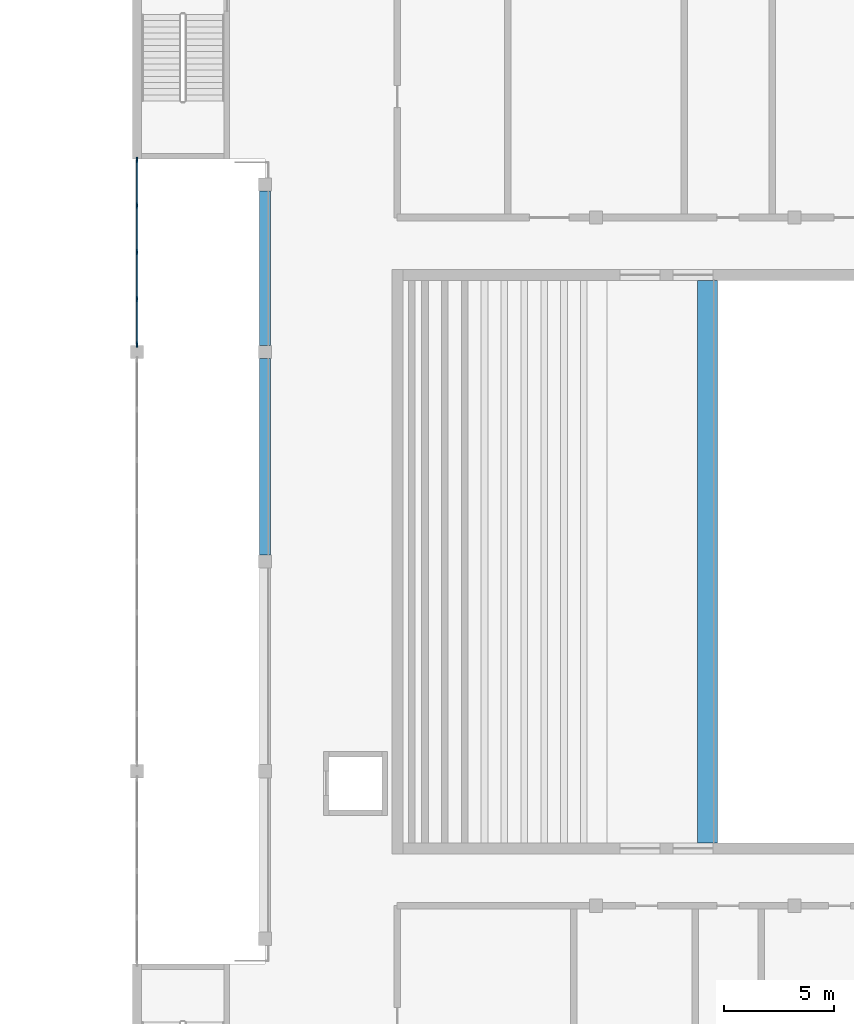
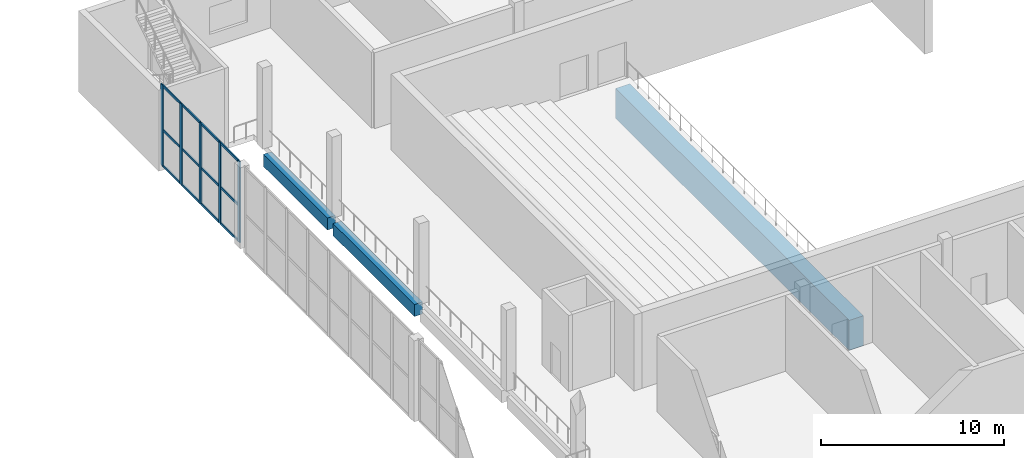
# One storey, part 9 of 44: 17 members, 3 beams, 1 element without a shape of its own.
"""IFC4 building model written with IfcOpenShell, lengths in metres."""

from ifc_helpers import new_model, si_unit, direction, frame, origin, origin_2d, place, context, subcontext, project, spatial, rectangle, extrude, material, material_profile, profile_set, type_object, element, aggregate, save


model = new_model("IFC4")

# Units and contexts
model_context = context("Model", 3, precision=1e-05, world=origin(), true_north=direction((0.0, 1.0)))
body_context = subcontext(model_context, "Body", "Model", "MODEL_VIEW")
ifc_project = project(units=[si_unit("LENGTHUNIT", "METRE"), si_unit("AREAUNIT", "SQUARE_METRE"), si_unit("VOLUMEUNIT", "CUBIC_METRE"), si_unit("PLANEANGLEUNIT", "RADIAN"), si_unit("MASSUNIT", "GRAM", prefix="KILO")], contexts=[model_context])

# Site, building, storey
site_placement = place(None, origin())
site = spatial("IfcSite", under=ifc_project, at=site_placement, CompositionType="ELEMENT")
building_placement = place(site_placement, origin())
building = spatial("IfcBuilding", under=site, at=building_placement, Name="Hunhe Ridgeline Campus", CompositionType="ELEMENT")
storey_placement = place(building_placement, frame((0.0, 0.0, 6.0)))
storey = spatial("IfcBuildingStorey", under=building, at=storey_placement, Name="L01", CompositionType="ELEMENT", Elevation=6.0)

# Curtain wall, members
ifc_material_1 = material(Name="Aluminium and glass", Category="aluminium")
curtain_wall_type = type_object("IfcCurtainWallType", Name="Hall foyer curtain wall CW-H", PredefinedType="NOTDEFINED", material=ifc_material_1)
curtain_wall_placement = place(storey_placement, origin())
curtain_wall = element("IfcCurtainWall", 1, at=curtain_wall_placement, inside=storey, type_object=curtain_wall_type, Name="L01 foyer curtain wall 5", PredefinedType="NOTDEFINED")
ifc_material_2 = material(Name="Aluminium", Category="aluminium")
ifc_material_profile_1 = material_profile(ifc_material_2, rectangle(XDim=0.080078125, YDim=0.25, at=origin_2d()))
ifc_profile_set_1 = profile_set([ifc_material_profile_1], Name="Aluminium")
member_type_1 = type_object("IfcMemberType", Name="CW-H mullion 80x250", PredefinedType="MULLION", material=ifc_profile_set_1)
member_1_placement = place(storey_placement, frame((150.199951171875, 59.340087890625, 0.0), z_axis=(0.0, 0.0, 1.0), x_axis=(-1.0, 0.0, 0.0)))
member_1 = element("IfcMember", 2, at=member_1_placement, type_object=member_type_1, Name="HCW1 mullion 1", PredefinedType="MULLION", context=body_context, shape_type="SweptSolid", body=[
    extrude(rectangle(XDim=0.080078125, YDim=0.25, at=origin_2d()), origin(), (0.0, 0.0, 1.0), 5.39990234375),
])
member_2_placement = place(storey_placement, frame((150.199951171875, 61.41259765625, 0.0), z_axis=(0.0, 0.0, 1.0), x_axis=(-1.0, 0.0, 0.0)))
member_2 = element("IfcMember", 3, at=member_2_placement, type_object=member_type_1, Name="HCW1 mullion 2", PredefinedType="MULLION", context=body_context, shape_type="SweptSolid", body=[
    extrude(rectangle(XDim=0.080078125, YDim=0.25, at=origin_2d()), origin(), (0.0, 0.0, 1.0), 5.39990234375),
])
member_3_placement = place(storey_placement, frame((150.199951171875, 63.52490234375, 0.0), z_axis=(0.0, 0.0, 1.0), x_axis=(-1.0, 0.0, 0.0)))
member_3 = element("IfcMember", 4, at=member_3_placement, type_object=member_type_1, Name="HCW1 mullion 3", PredefinedType="MULLION", context=body_context, shape_type="SweptSolid", body=[
    extrude(rectangle(XDim=0.080078125, YDim=0.25, at=origin_2d()), origin(), (0.0, 0.0, 1.0), 5.39990234375),
])
member_4_placement = place(storey_placement, frame((150.199951171875, 65.637451171875, 0.0), z_axis=(0.0, 0.0, 1.0), x_axis=(-1.0, 0.0, 0.0)))
member_4 = element("IfcMember", 5, at=member_4_placement, type_object=member_type_1, Name="HCW1 mullion 4", PredefinedType="MULLION", context=body_context, shape_type="SweptSolid", body=[
    extrude(rectangle(XDim=0.080078125, YDim=0.25, at=origin_2d()), origin(), (0.0, 0.0, 1.0), 5.39990234375),
])
member_5_placement = place(storey_placement, frame((150.199951171875, 67.7099609375, 0.0), z_axis=(0.0, 0.0, 1.0), x_axis=(-1.0, 0.0, 0.0)))
member_5 = element("IfcMember", 6, at=member_5_placement, type_object=member_type_1, Name="HCW1 mullion 5", PredefinedType="MULLION", context=body_context, shape_type="SweptSolid", body=[
    extrude(rectangle(XDim=0.080078125, YDim=0.25, at=origin_2d()), origin(), (0.0, 0.0, 1.0), 5.39990234375),
])
ifc_material_profile_2 = material_profile(ifc_material_2, rectangle(XDim=0.080078125, YDim=0.14990234375, at=origin_2d()))
ifc_profile_set_2 = profile_set([ifc_material_profile_2], Name="Aluminium")
member_type_2 = type_object("IfcMemberType", Name="CW-H transom 80x150", PredefinedType="USERDEFINED", material=ifc_profile_set_2)
member_6_placement = place(storey_placement, frame((150.199951171875, 59.3798828125, 0.0400390625), z_axis=(0.0, 1.0, 0.0), x_axis=(-1.0, 0.0, 0.0)))
member_6 = element("IfcMember", 7, at=member_6_placement, type_object=member_type_2, Name="HCW1 transom 1.1", ObjectType="TRANSOM", PredefinedType="USERDEFINED", context=body_context, shape_type="SweptSolid", body=[
    extrude(rectangle(XDim=0.080078125, YDim=0.14990234375, at=origin_2d()), origin(), (0.0, 0.0, 1.0), 1.99267578125),
])
member_7_placement = place(storey_placement, frame((150.199951171875, 59.3798828125, 2.429931640625), z_axis=(0.0, 1.0, 0.0), x_axis=(-1.0, 0.0, 0.0)))
member_7 = element("IfcMember", 8, at=member_7_placement, type_object=member_type_2, Name="HCW1 transom 1.2", ObjectType="TRANSOM", PredefinedType="USERDEFINED", context=body_context, shape_type="SweptSolid", body=[
    extrude(rectangle(XDim=0.080078125, YDim=0.14990234375, at=origin_2d()), origin(), (0.0, 0.0, 1.0), 1.99267578125),
])
member_8_placement = place(storey_placement, frame((150.199951171875, 59.3798828125, 5.360107421875), z_axis=(0.0, 1.0, 0.0), x_axis=(-1.0, 0.0, 0.0)))
member_8 = element("IfcMember", 9, at=member_8_placement, type_object=member_type_2, Name="HCW1 transom 1.3", ObjectType="TRANSOM", PredefinedType="USERDEFINED", context=body_context, shape_type="SweptSolid", body=[
    extrude(rectangle(XDim=0.080078125, YDim=0.14990234375, at=origin_2d()), origin(), (0.0, 0.0, 1.0), 1.99267578125),
])
member_9_placement = place(storey_placement, frame((150.199951171875, 61.452392578125, 0.0400390625), z_axis=(0.0, 1.0, 0.0), x_axis=(-1.0, 0.0, 0.0)))
member_9 = element("IfcMember", 10, at=member_9_placement, type_object=member_type_2, Name="HCW1 transom 2.1", ObjectType="TRANSOM", PredefinedType="USERDEFINED", context=body_context, shape_type="SweptSolid", body=[
    extrude(rectangle(XDim=0.080078125, YDim=0.14990234375, at=origin_2d()), origin(), (0.0, 0.0, 1.0), 2.03271484375),
])
member_10_placement = place(storey_placement, frame((150.199951171875, 61.452392578125, 2.429931640625), z_axis=(0.0, 1.0, 0.0), x_axis=(-1.0, 0.0, 0.0)))
member_10 = element("IfcMember", 11, at=member_10_placement, type_object=member_type_2, Name="HCW1 transom 2.2", ObjectType="TRANSOM", PredefinedType="USERDEFINED", context=body_context, shape_type="SweptSolid", body=[
    extrude(rectangle(XDim=0.080078125, YDim=0.14990234375, at=origin_2d()), origin(), (0.0, 0.0, 1.0), 2.03271484375),
])
member_11_placement = place(storey_placement, frame((150.199951171875, 61.452392578125, 5.360107421875), z_axis=(0.0, 1.0, 0.0), x_axis=(-1.0, 0.0, 0.0)))
member_11 = element("IfcMember", 12, at=member_11_placement, type_object=member_type_2, Name="HCW1 transom 2.3", ObjectType="TRANSOM", PredefinedType="USERDEFINED", context=body_context, shape_type="SweptSolid", body=[
    extrude(rectangle(XDim=0.080078125, YDim=0.14990234375, at=origin_2d()), origin(), (0.0, 0.0, 1.0), 2.03271484375),
])
member_12_placement = place(storey_placement, frame((150.199951171875, 63.56494140625, 0.0400390625), z_axis=(0.0, 1.0, 0.0), x_axis=(-1.0, 0.0, 0.0)))
member_12 = element("IfcMember", 13, at=member_12_placement, type_object=member_type_2, Name="HCW1 transom 3.1", ObjectType="TRANSOM", PredefinedType="USERDEFINED", context=body_context, shape_type="SweptSolid", body=[
    extrude(rectangle(XDim=0.080078125, YDim=0.14990234375, at=origin_2d()), origin(), (0.0, 0.0, 1.0), 2.032470703125),
])
member_13_placement = place(storey_placement, frame((150.199951171875, 63.56494140625, 2.429931640625), z_axis=(0.0, 1.0, 0.0), x_axis=(-1.0, 0.0, 0.0)))
member_13 = element("IfcMember", 14, at=member_13_placement, type_object=member_type_2, Name="HCW1 transom 3.2", ObjectType="TRANSOM", PredefinedType="USERDEFINED", context=body_context, shape_type="SweptSolid", body=[
    extrude(rectangle(XDim=0.080078125, YDim=0.14990234375, at=origin_2d()), origin(), (0.0, 0.0, 1.0), 2.032470703125),
])
member_14_placement = place(storey_placement, frame((150.199951171875, 63.56494140625, 5.360107421875), z_axis=(0.0, 1.0, 0.0), x_axis=(-1.0, 0.0, 0.0)))
member_14 = element("IfcMember", 15, at=member_14_placement, type_object=member_type_2, Name="HCW1 transom 3.3", ObjectType="TRANSOM", PredefinedType="USERDEFINED", context=body_context, shape_type="SweptSolid", body=[
    extrude(rectangle(XDim=0.080078125, YDim=0.14990234375, at=origin_2d()), origin(), (0.0, 0.0, 1.0), 2.032470703125),
])
member_15_placement = place(storey_placement, frame((150.199951171875, 65.677490234375, 0.0400390625), z_axis=(0.0, 1.0, 0.0), x_axis=(-1.0, 0.0, 0.0)))
member_15 = element("IfcMember", 16, at=member_15_placement, type_object=member_type_2, Name="HCW1 transom 4.1", ObjectType="TRANSOM", PredefinedType="USERDEFINED", context=body_context, shape_type="SweptSolid", body=[
    extrude(rectangle(XDim=0.080078125, YDim=0.14990234375, at=origin_2d()), origin(), (0.0, 0.0, 1.0), 1.992431640625),
])
member_16_placement = place(storey_placement, frame((150.199951171875, 65.677490234375, 2.429931640625), z_axis=(0.0, 1.0, 0.0), x_axis=(-1.0, 0.0, 0.0)))
member_16 = element("IfcMember", 17, at=member_16_placement, type_object=member_type_2, Name="HCW1 transom 4.2", ObjectType="TRANSOM", PredefinedType="USERDEFINED", context=body_context, shape_type="SweptSolid", body=[
    extrude(rectangle(XDim=0.080078125, YDim=0.14990234375, at=origin_2d()), origin(), (0.0, 0.0, 1.0), 1.992431640625),
])
member_17_placement = place(storey_placement, frame((150.199951171875, 65.677490234375, 5.360107421875), z_axis=(0.0, 1.0, 0.0), x_axis=(-1.0, 0.0, 0.0)))
member_17 = element("IfcMember", 18, at=member_17_placement, type_object=member_type_2, Name="HCW1 transom 4.3", ObjectType="TRANSOM", PredefinedType="USERDEFINED", context=body_context, shape_type="SweptSolid", body=[
    extrude(rectangle(XDim=0.080078125, YDim=0.14990234375, at=origin_2d()), origin(), (0.0, 0.0, 1.0), 1.992431640625),
])
aggregate(curtain_wall, [member_1, member_2, member_3, member_4, member_5, member_6, member_7, member_8, member_9, member_10, member_11, member_12, member_13, member_14, member_15, member_16, member_17])

# Beams
ifc_material_3 = material(Name="Concrete C50", Category="concrete")
ifc_material_profile_3 = material_profile(ifc_material_3, rectangle(XDim=0.89990234375, YDim=2.0, at=origin_2d()))
ifc_profile_set_3 = profile_set([ifc_material_profile_3], Name="Concrete C50")
beam_type_1 = type_object("IfcBeamType", Name="Hall RC circle beam 900x2000 C50", PredefinedType="BEAM", material=ifc_profile_set_3)
beam_1_placement = place(storey_placement, frame((176.050048828125, 36.75, -1.449951171875), z_axis=(0.0, 1.0, 0.0), x_axis=(-1.0, 0.0, 0.0)))
element("IfcBeam", 19, at=beam_1_placement, inside=storey, type_object=beam_type_1, Name="Circle tier 1 front beam", PredefinedType="BEAM", context=body_context, shape_type="SweptSolid", body=[
    extrude(rectangle(XDim=0.89990234375, YDim=2.0, at=origin_2d()), origin(), (0.0, 0.0, 1.0), 25.5),
])
ifc_material_4 = material(Name="Concrete C40", Category="concrete")
ifc_material_profile_4 = material_profile(ifc_material_4, rectangle(XDim=0.5, YDim=0.800048828125, at=origin_2d()))
ifc_profile_set_4 = profile_set([ifc_material_profile_4], Name="Concrete C40")
beam_type_2 = type_object("IfcBeamType", Name="Hall RC gallery edge beam 500x800 C40", PredefinedType="BEAM", material=ifc_profile_set_4)
beam_2_placement = place(storey_placement, frame((156.0, 49.800048828125, -0.75), z_axis=(0.0, 1.0, 0.0), x_axis=(-1.0, 0.0, 0.0)))
element("IfcBeam", 20, at=beam_2_placement, inside=storey, type_object=beam_type_2, Name="Hall L01 gallery edge beam 3", PredefinedType="BEAM", context=body_context, shape_type="SweptSolid", body=[
    extrude(rectangle(XDim=0.5, YDim=0.800048828125, at=origin_2d()), origin(), (0.0, 0.0, 1.0), 8.89990234375),
])
beam_3_placement = place(storey_placement, frame((156.0, 59.300048828125, -0.75), z_axis=(0.0, 1.0, 0.0), x_axis=(-1.0, 0.0, 0.0)))
element("IfcBeam", 21, at=beam_3_placement, inside=storey, type_object=beam_type_2, Name="Hall L01 gallery edge beam 4", PredefinedType="BEAM", context=body_context, shape_type="SweptSolid", body=[
    extrude(rectangle(XDim=0.5, YDim=0.800048828125, at=origin_2d()), origin(), (0.0, 0.0, 1.0), 7.0),
])

save(model, "model.ifc")
